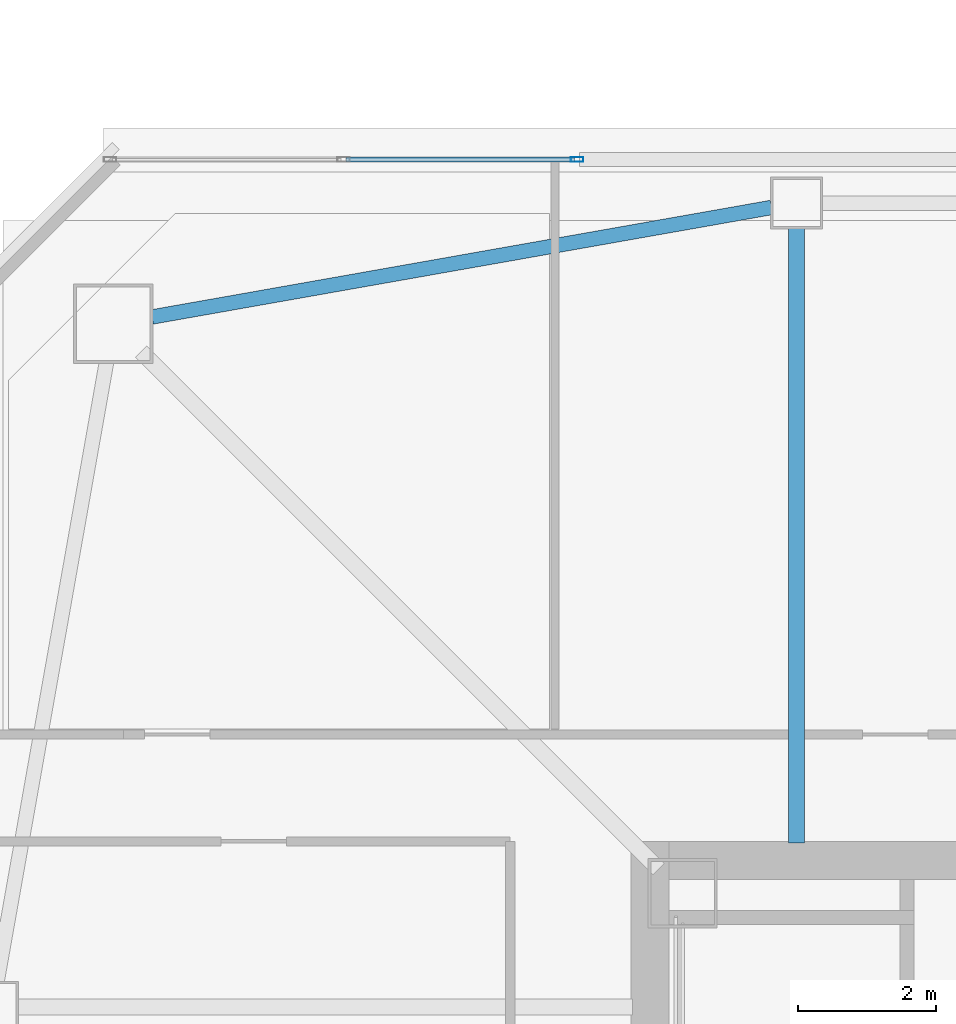
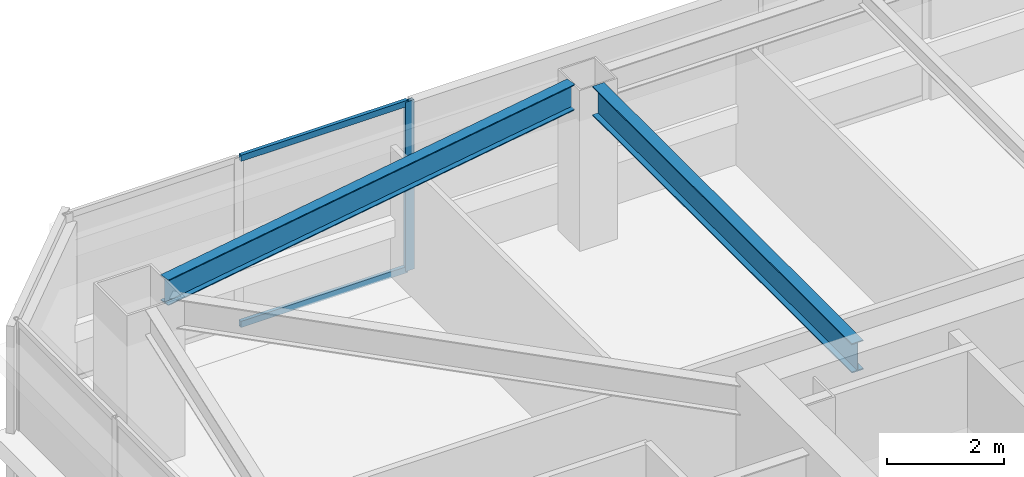
# One storey, part 14 of 44: 3 members, 2 beams, 1 element without a shape of its own.
"""IFC4 building model written with IfcOpenShell, lengths in metres."""

from ifc_helpers import new_model, si_unit, direction, frame, origin, origin_2d, place, context, subcontext, project, spatial, hollow_rectangle, i_section, extrude, material, material_profile, profile_set, type_object, element, aggregate, save


model = new_model("IFC4")

# Units and contexts
model_context = context("Model", 3, precision=1e-05, world=origin(), true_north=direction((0.0, 1.0)))
body_context = subcontext(model_context, "Body", "Model", "MODEL_VIEW")
ifc_project = project(units=[si_unit("LENGTHUNIT", "METRE"), si_unit("AREAUNIT", "SQUARE_METRE"), si_unit("VOLUMEUNIT", "CUBIC_METRE"), si_unit("PLANEANGLEUNIT", "RADIAN"), si_unit("MASSUNIT", "GRAM", prefix="KILO")], contexts=[model_context])

# Site, building, storey
site_placement = place(None, origin())
site = spatial("IfcSite", under=ifc_project, at=site_placement, CompositionType="ELEMENT")
building_placement = place(site_placement, origin())
building = spatial("IfcBuilding", under=site, at=building_placement, Name="Tashvorn Skyway Center", CompositionType="ELEMENT")
storey_placement = place(building_placement, frame((0.0, 0.0, 181.85009765625)))
storey = spatial("IfcBuildingStorey", under=building, at=storey_placement, Name="L49", CompositionType="ELEMENT", Elevation=181.85009765625)

# Beams
ifc_material_1 = material(Name="Steel ASTM A992 Grade 50", Category="steel")
ifc_material_profile_1 = material_profile(ifc_material_1, i_section(OverallWidth=0.22998046875, OverallDepth=0.616943359375, WebThickness=0.01318359375, FlangeThickness=0.022216796875, at=origin_2d()), Name="W24X94")
ifc_profile_set_1 = profile_set([ifc_material_profile_1], Name="Steel ASTM A992 Grade 50")
beam_type_1 = type_object("IfcBeamType", Name="BM-BEAM-W24X94", PredefinedType="BEAM", material=ifc_profile_set_1)
beam_1_placement = place(storey_placement, frame((36.60009765625, 48.679931640625, 3.0615234375), z_axis=(0.0, -1.0, 0.0), x_axis=(1.0, 0.0, 0.0)))
element("IfcBeam", 1, at=beam_1_placement, inside=storey, type_object=beam_type_1, Name="Tower 1 L49 Primary Floor Girder FC-N2", PredefinedType="BEAM", context=body_context, shape_type="SweptSolid", body=[
    extrude(i_section(OverallWidth=0.22998046875, OverallDepth=0.616943359375, WebThickness=0.01318359375, FlangeThickness=0.022216796875, at=origin_2d()), origin(), (0.0, 0.0, 1.0), 8.89990234375),
])
ifc_material_profile_2 = material_profile(ifc_material_1, i_section(OverallWidth=0.2109375, OverallDepth=0.5390625, WebThickness=0.01171875, FlangeThickness=0.018798828125, at=origin_2d()), Name="W21X73")
ifc_profile_set_2 = profile_set([ifc_material_profile_2], Name="Steel ASTM A992 Grade 50")
beam_type_2 = type_object("IfcBeamType", Name="BM-SPANDREL-W21X73", PredefinedType="SPANDREL", material=ifc_profile_set_2)
beam_2_placement = place(storey_placement, frame((36.235595703125, 48.985595703125, 3.100341796875), z_axis=(-0.984732545667, -0.174074160933, 0.0), x_axis=(0.174074160933, -0.984732545667, 0.0)))
element("IfcBeam", 2, at=beam_2_placement, inside=storey, type_object=beam_type_2, Name="Tower 1 L49 Spandrel Beam 09", PredefinedType="SPANDREL", context=body_context, shape_type="SweptSolid", body=[
    extrude(i_section(OverallWidth=0.2109375, OverallDepth=0.5390625, WebThickness=0.01171875, FlangeThickness=0.018798828125, at=origin_2d()), origin(), (0.0, 0.0, 1.0), 9.113525390625),
])

# Curtain wall, members
ifc_material_2 = material(Name="Thermally broken bronze-anodized aluminium 6063-T6", Category="aluminium")
curtain_wall_type = type_object("IfcCurtainWallType", Name="CW-CW-Z4", PredefinedType="NOTDEFINED", material=ifc_material_2)
curtain_wall_placement = place(storey_placement, origin())
curtain_wall = element("IfcCurtainWall", 3, at=curtain_wall_placement, inside=storey, type_object=curtain_wall_type, Name="Tower 1 L49 North Unitised Curtain Wall Glazing Group 1", PredefinedType="NOTDEFINED")
ifc_material_profile_3 = material_profile(ifc_material_2, hollow_rectangle(XDim=0.070068359375, YDim=0.179931640625, WallThickness=0.00390625, at=origin_2d()), Name="ALU-MULL-70x180")
ifc_profile_set_3 = profile_set([ifc_material_profile_3], Name="Thermally broken bronze-anodized aluminium 6063-T6")
member_type_1 = type_object("IfcMemberType", Name="CWM-CW-Z4", PredefinedType="MULLION", material=ifc_profile_set_3)
member_1_placement = place(storey_placement, frame((33.420654296875, 49.679931640625, 0.0), z_axis=(0.0, 0.0, 1.0), x_axis=(0.0, 1.0, 0.0)))
member_1 = element("IfcMember", 4, at=member_1_placement, type_object=member_type_1, Name="CW-Z4 mullion 3", PredefinedType="MULLION", context=body_context, shape_type="SweptSolid", body=[
    extrude(hollow_rectangle(XDim=0.070068359375, YDim=0.179931640625, WallThickness=0.00390625, at=origin_2d()), origin(), (0.0, 0.0, 1.0), 3.5498046875),
])
ifc_material_profile_4 = material_profile(ifc_material_2, hollow_rectangle(XDim=0.070068359375, YDim=0.1298828125, WallThickness=0.00390625, at=origin_2d()), Name="ALU-TRAN-70x130")
ifc_profile_set_4 = profile_set([ifc_material_profile_4], Name="Thermally broken bronze-anodized aluminium 6063-T6")
member_type_2 = type_object("IfcMemberType", Name="CWT-CW-Z4", PredefinedType="USERDEFINED", material=ifc_profile_set_4)
member_2_placement = place(storey_placement, frame((30.07275390625, 49.679931640625, 0.034912109375), z_axis=(1.0, 0.0, 0.0), x_axis=(0.0, 1.0, 0.0)))
member_2 = element("IfcMember", 5, at=member_2_placement, type_object=member_type_2, Name="CW-Z4 transom 2.1", ObjectType="TRANSOM", PredefinedType="USERDEFINED", context=body_context, shape_type="SweptSolid", body=[
    extrude(hollow_rectangle(XDim=0.070068359375, YDim=0.1298828125, WallThickness=0.00390625, at=origin_2d()), origin(), (0.0, 0.0, 1.0), 3.312744140625),
])
member_3_placement = place(storey_placement, frame((30.07275390625, 49.679931640625, 3.514892578125), z_axis=(1.0, 0.0, 0.0), x_axis=(0.0, 1.0, 0.0)))
member_3 = element("IfcMember", 6, at=member_3_placement, type_object=member_type_2, Name="CW-Z4 transom 2.2", ObjectType="TRANSOM", PredefinedType="USERDEFINED", context=body_context, shape_type="SweptSolid", body=[
    extrude(hollow_rectangle(XDim=0.070068359375, YDim=0.1298828125, WallThickness=0.00390625, at=origin_2d()), origin(), (0.0, 0.0, 1.0), 3.312744140625),
])
aggregate(curtain_wall, [member_1, member_2, member_3])

save(model, "model.ifc")
